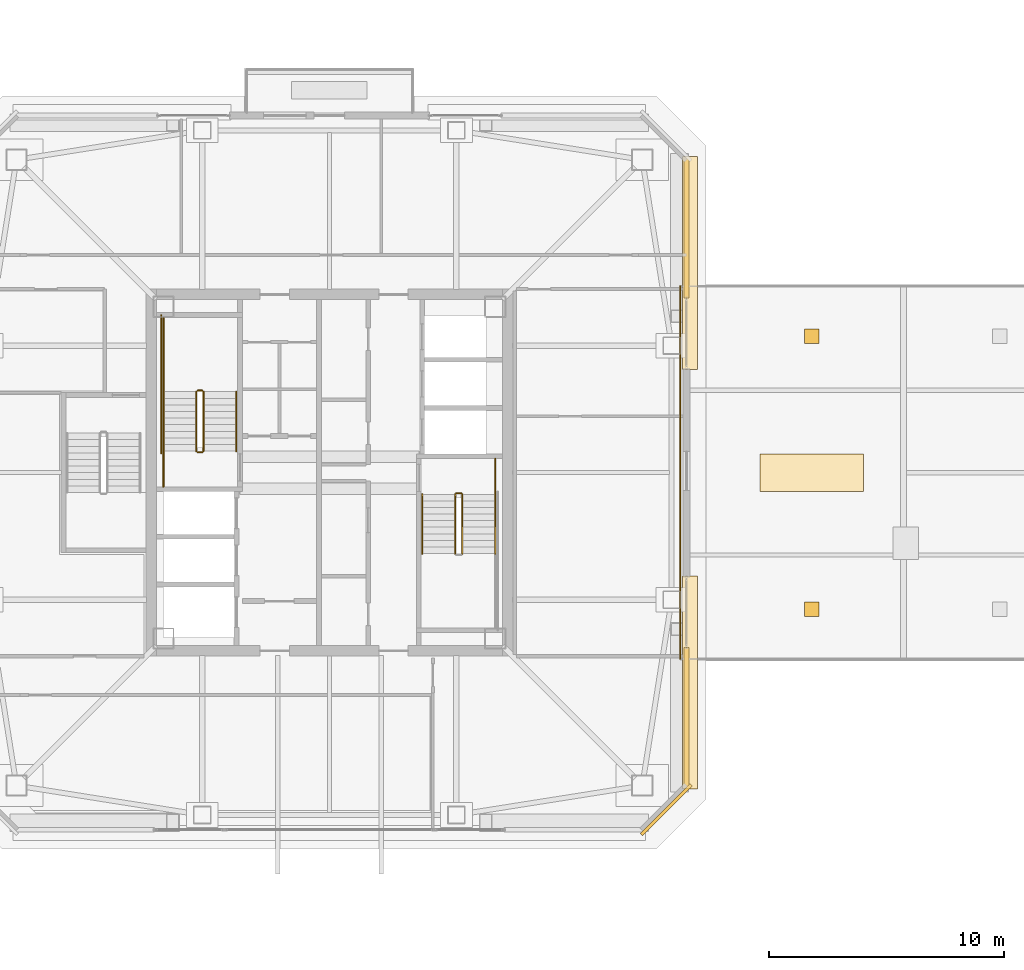
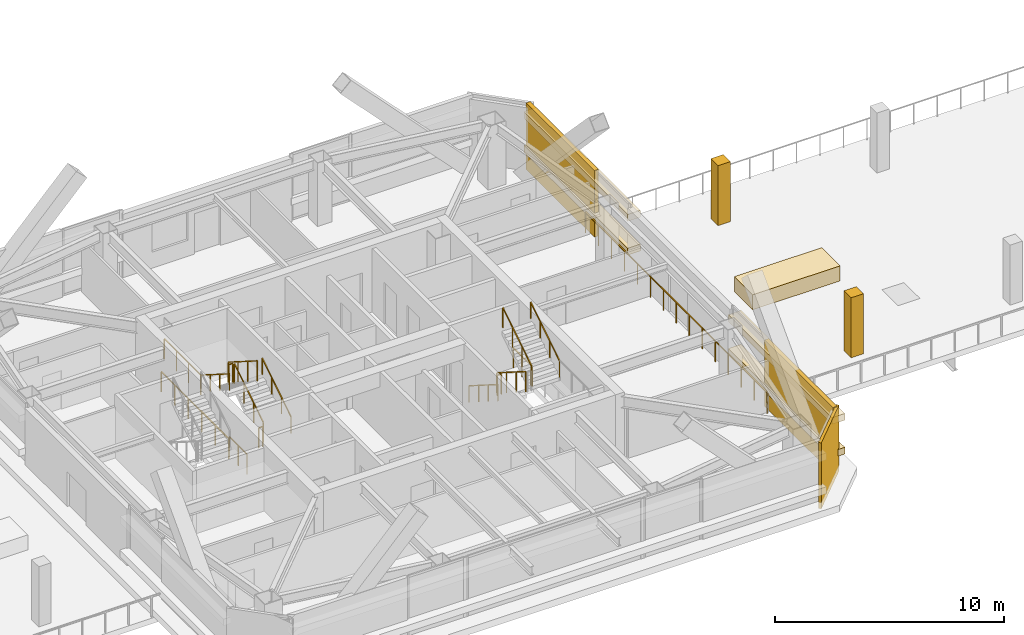
# One storey, part 34 of 37: 16 railings, 10 coverings.
"""IFC4 building model written with IfcOpenShell, lengths in metres."""

import ifcopenshell
import ifcopenshell.guid

model = None  # the IFC model being written
_history = None  # IfcOwnerHistory: only IFC2X3 demands one
_inside = {}  # id of a spatial element -> (the spatial element, [elements in it])
_under = {}  # id of a project, library or spatial element -> (it, [spatial elements below it])
_declared = {}  # id of a project -> (the project, [libraries it declares])
_typed = {}  # id of a type object -> (the type object, [elements of that type])
_made_of = {}  # id of a material, layer set ... -> (it, [elements and type objects made of it])


def new_model(schema):
    """Start an empty IFC model of exactly this schema.

    Asked for "IFC4X3", IfcOpenShell would pick the latest addendum, in which some entities
    have other attributes; the version numbers below select the first issue.
    IFC2X3 requires an IfcOwnerHistory on every rooted entity: one is made here for all.
    """
    global model, _history
    if schema == "IFC4X3":
        model = ifcopenshell.file(schema_version=(4, 3, 0, 0))
    else:
        model = ifcopenshell.file(schema=schema)
    _inside.clear()
    _under.clear()
    _declared.clear()
    _typed.clear()
    _made_of.clear()
    _history = None
    if model.schema == "IFC2X3":
        org = make("IfcOrganization", Name="unknown")
        user = make(
            "IfcPersonAndOrganization",
            ThePerson=make("IfcPerson", FamilyName="unknown"),
            TheOrganization=org,
        )
        app = make(
            "IfcApplication",
            ApplicationDeveloper=org,
            Version="unknown",
            ApplicationFullName="unknown",
            ApplicationIdentifier="unknown",
        )
        _history = make(
            "IfcOwnerHistory",
            OwningUser=user,
            OwningApplication=app,
            ChangeAction="ADDED",
            CreationDate=0,
        )
    return model


def make(cls, **values):
    """One entity of the class cls with the attributes given. An attribute that is None is left unset."""
    return model.create_entity(
        cls, **{name: value for name, value in values.items() if value is not None}
    )


def rooted(cls, **values):
    """An entity with a GlobalId (a new one), such as an element, a storey or a relation."""
    return make(cls, GlobalId=ifcopenshell.guid.new(), OwnerHistory=_history, **values)


def si_unit(unit_type, name, prefix=None):
    """IfcSIUnit, for example si_unit("LENGTHUNIT", "METRE", prefix="MILLI")."""
    return make("IfcSIUnit", UnitType=unit_type, Prefix=prefix, Name=name)


def assignment(units):
    """IfcUnitAssignment: the units of a project."""
    return None if units is None else make("IfcUnitAssignment", Units=units)


def point(xyz):
    """IfcCartesianPoint."""
    return None if xyz is None else make("IfcCartesianPoint", Coordinates=xyz)


def direction(xyz):
    """IfcDirection."""
    return None if xyz is None else make("IfcDirection", DirectionRatios=xyz)


def frame(location, z_axis=None, x_axis=None):
    """IfcAxis2Placement3D, a coordinate frame: its origin and axes. An axis left out is left unset."""
    return make(
        "IfcAxis2Placement3D",
        Location=point(location),
        Axis=direction(z_axis),
        RefDirection=direction(x_axis),
    )


def frame_2d(location, x_axis=None):
    """IfcAxis2Placement2D, a coordinate frame in the plane: its origin and x axis."""
    return make(
        "IfcAxis2Placement2D", Location=point(location), RefDirection=direction(x_axis)
    )


def origin():
    """The frame at (0, 0, 0) with its axes left unset."""
    return frame((0.0, 0.0, 0.0))


def origin_2d():
    """The frame at (0, 0) in the plane with its x axis left unset."""
    return frame_2d((0.0, 0.0))


def place(relative_to, where):
    """IfcLocalPlacement: puts the frame where relative to a parent placement (None: the world)."""
    return make(
        "IfcLocalPlacement", PlacementRelTo=relative_to, RelativePlacement=where
    )


def context(
    kind, dimensions, precision=None, world=None, true_north=None, identifier=None
):
    """IfcGeometricRepresentationContext, for example the 3D "Model" context."""
    return make(
        "IfcGeometricRepresentationContext",
        ContextIdentifier=identifier,
        ContextType=kind,
        CoordinateSpaceDimension=dimensions,
        Precision=precision,
        WorldCoordinateSystem=world,
        TrueNorth=true_north,
    )


def subcontext(parent, identifier, kind, view, scale=None):
    """IfcGeometricRepresentationSubContext, for example "Body" below "Model"."""
    return make(
        "IfcGeometricRepresentationSubContext",
        ContextIdentifier=identifier,
        ContextType=kind,
        ParentContext=parent,
        TargetScale=scale,
        TargetView=view,
    )


def project(units=None, contexts=None):
    """IfcProject with its units and contexts."""
    return rooted(
        "IfcProject",
        Name="project",
        RepresentationContexts=contexts,
        UnitsInContext=assignment(units),
    )


def spatial(cls, under=None, at=None, **own):
    """A site, building, storey or space (cls), placed at a placement, below another one or the project."""
    s = rooted(cls, ObjectPlacement=at, **own)
    if under is not None:
        _under.setdefault(under.id(), (under, []))[1].append(s)
    return s


def profile(cls, at=None, kind="AREA", **sizes):
    """A parametric profile (cls). Its sizes go by their IFC names, for example OverallWidth=200.0."""
    return make(cls, ProfileType=kind, Position=at, **sizes)


def rectangle(**sizes):
    """IfcRectangleProfileDef."""
    return profile("IfcRectangleProfileDef", **sizes)


def extrude(swept, where, along, depth):
    """IfcExtrudedAreaSolid: the profile swept, set in the frame where, extruded along a direction by depth."""
    return make(
        "IfcExtrudedAreaSolid",
        SweptArea=swept,
        Position=where,
        ExtrudedDirection=direction(along),
        Depth=depth,
    )


def shape(context_of_items, identifier, shape_type, items):
    """IfcShapeRepresentation: the items that make up one representation, for example the "Body"."""
    return make(
        "IfcShapeRepresentation",
        ContextOfItems=context_of_items,
        RepresentationIdentifier=identifier,
        RepresentationType=shape_type,
        Items=items,
    )


def material(Name=None, Category=None):
    """IfcMaterial."""
    return make("IfcMaterial", Name=Name, Category=Category)


def layer(
    of_material, thickness, ventilated=None, Name=None, Category=None, Priority=None
):
    """IfcMaterialLayer: one layer of a wall or slab, of a material (None: an air gap)."""
    return make(
        "IfcMaterialLayer",
        Material=of_material,
        LayerThickness=thickness,
        IsVentilated=ventilated,
        Name=Name,
        Category=Category,
        Priority=Priority,
    )


def layer_set(layers, Name=None):
    """IfcMaterialLayerSet."""
    return make("IfcMaterialLayerSet", MaterialLayers=layers, LayerSetName=Name)


def made_of(thing, what):
    """Note that an element or type object is made of a material, layer set ...; save() writes the relation."""
    if what is not None:
        _made_of.setdefault(what.id(), (what, []))[1].append(thing)
    return thing


def type_object(cls, material=None, **own):
    """A type object (cls), such as IfcWallType, which elements share."""
    return made_of(rooted(cls, **own), material)


def element(
    cls,
    number,
    at=None,
    inside=None,
    cuts=None,
    type_object=None,
    material=None,
    context=None,
    identifier="Body",
    shape_type=None,
    held_by="IfcProductDefinitionShape",
    body=None,
    shapes=None,
    **own,
):
    """One element of the class cls, such as IfcWall. Its Tag is "e" and its number.

    at: its placement. inside: the storey or other place that contains it. cuts: it is an
    opening in that element (IfcRelVoidsElement). A single representation is given by context,
    identifier, shape_type and body (its items); several are given by shapes. held_by: the class
    of the entity that holds the representations. save() writes the other relations.
    """
    e = rooted(cls, Tag="e%d" % number, ObjectPlacement=at, **own)
    if body is not None:
        shapes = [shape(context, identifier, shape_type, body)]
    if shapes is not None:
        e.Representation = make(held_by, Representations=shapes)
    if inside is not None:
        _inside.setdefault(inside.id(), (inside, []))[1].append(e)
    if cuts is not None:
        rooted(
            "IfcRelVoidsElement", RelatingBuildingElement=cuts, RelatedOpeningElement=e
        )
    if type_object is not None:
        _typed.setdefault(type_object.id(), (type_object, []))[1].append(e)
    return made_of(e, material)


def aggregate(whole, parts):
    """IfcRelAggregates: a whole, such as a stair, and the parts it consists of."""
    return rooted("IfcRelAggregates", RelatingObject=whole, RelatedObjects=parts)


def save(model, path):
    """Write the relations noted so far, then the file.

    IfcRelAggregates (storeys below a building ...), IfcRelContainedInSpatialStructure (elements
    in a storey), IfcRelDefinesByType, IfcRelAssociatesMaterial and IfcRelDeclares: one each for
    every whole, place, type object, material and project.
    """
    for whole, parts in _under.values():
        aggregate(whole, parts)
    for where, things in _inside.values():
        rooted(
            "IfcRelContainedInSpatialStructure",
            RelatedElements=things,
            RelatingStructure=where,
        )
    for kind, things in _typed.values():
        rooted("IfcRelDefinesByType", RelatedObjects=things, RelatingType=kind)
    for what, things in _made_of.values():
        rooted("IfcRelAssociatesMaterial", RelatedObjects=things, RelatingMaterial=what)
    for by, libraries in _declared.values():
        rooted("IfcRelDeclares", RelatingContext=by, RelatedDefinitions=libraries)
    model.write(path)


model = new_model("IFC4")

# Units and contexts
model_context = context("Model", 3, precision=1e-05, world=origin(), true_north=direction((0.0, 1.0)))
body_context = subcontext(model_context, "Body", "Model", "MODEL_VIEW")
ifc_project = project(units=[si_unit("LENGTHUNIT", "METRE"), si_unit("AREAUNIT", "SQUARE_METRE"), si_unit("VOLUMEUNIT", "CUBIC_METRE"), si_unit("PLANEANGLEUNIT", "RADIAN"), si_unit("MASSUNIT", "GRAM", prefix="KILO")], contexts=[model_context])

# Site, building, storey
site_placement = place(None, origin())
site = spatial("IfcSite", under=ifc_project, at=site_placement, CompositionType="ELEMENT")
building_placement = place(site_placement, origin())
building = spatial("IfcBuilding", under=site, at=building_placement, Name="Tashvorn Skyway Center", CompositionType="ELEMENT")
storey_placement = place(building_placement, frame((0.0, 0.0, 263.39990234375)))
storey = spatial("IfcBuildingStorey", under=building, at=storey_placement, Name="L71", CompositionType="ELEMENT", Elevation=263.39990234375)

# Coverings
ifc_material_1 = material(Name="Precast concrete C40/50", Category="concrete")
ifc_layer_1 = layer(ifc_material_1, 0.199951171875)
ifc_layer_set_1 = layer_set([ifc_layer_1], Name="Precast concrete C40/50")
covering_type_1 = type_object("IfcCoveringType", Name="COV-BRACE-CLAD", PredefinedType="CLADDING", material=ifc_layer_set_1)
for number, where, z_axis, x_axis, name in (
    (1, (57.179931640625, 42.4033203125, 0.0), (0.0, 0.0, 1.0), (0.0, -1.0, 0.0), "Tower 1 L71 East Curtain Wall L Mega-Brace Cladding Band 1"),
    (2, (57.179931640625, 21.5966796875, 0.0), (0.0, 0.0, 1.0), (0.0, -1.0, 0.0), "Tower 1 L71 East Curtain Wall R Mega-Brace Cladding Band 1"),
):
    element("IfcCovering", number, at=place(storey_placement, frame(where, z_axis=z_axis, x_axis=x_axis)), inside=storey, type_object=covering_type_1, Name=name, PredefinedType="CLADDING", context=body_context, shape_type="SweptSolid", body=[
        extrude(rectangle(XDim=5.953369140625, YDim=0.199951171875, at=origin_2d()), origin(), (0.0, 0.0, 1.0), 3.550048828125),
    ])
ifc_material_2 = material(Name="Perforated ceramic-coated bronze aluminium solar screen", Category="aluminium")
ifc_layer_2 = layer(ifc_material_2, 0.85009765625)
ifc_layer_set_2 = layer_set([ifc_layer_2], Name="Perforated ceramic-coated bronze aluminium solar screen")
covering_type_2 = type_object("IfcCoveringType", Name="COV-SOLAR-BAND", PredefinedType="CLADDING", material=ifc_layer_set_2)
for number, where, z_axis, x_axis, name in (
    (3, (57.320068359375, 40.9150390625, 0.919921875), (0.0, 0.0, 1.0), (0.0, -1.0, 0.0), "L71 Perforated Ceramic-Metal Solar Screen Louvre Band East 1"),
    (4, (57.320068359375, 40.9150390625, 2.72021484375), (0.0, 0.0, 1.0), (0.0, -1.0, 0.0), "L71 Perforated Ceramic-Metal Solar Screen Louvre Band East 2"),
    (5, (57.320068359375, 23.0849609375, 0.919921875), (0.0, 0.0, 1.0), (0.0, -1.0, 0.0), "L71 Perforated Ceramic-Metal Solar Screen Louvre Band East 1"),
    (6, (57.320068359375, 23.0849609375, 2.72021484375), (0.0, 0.0, 1.0), (0.0, -1.0, 0.0), "L71 Perforated Ceramic-Metal Solar Screen Louvre Band East 2"),
):
    element("IfcCovering", number, at=place(storey_placement, frame(where, z_axis=z_axis, x_axis=x_axis)), inside=storey, type_object=covering_type_2, Name=name, PredefinedType="CLADDING", context=body_context, shape_type="SweptSolid", body=[
        extrude(rectangle(XDim=9.050048828125, YDim=0.639892578125, at=origin_2d()), origin(), (0.0, 0.0, 1.0), 0.360107421875),
    ])
ifc_layer_3 = layer(ifc_material_1, 0.35009765625)
ifc_layer_set_3 = layer_set([ifc_layer_3], Name="Precast concrete C40/50")
covering_type_3 = type_object("IfcCoveringType", Name="COV-STONE-TRIM", PredefinedType="CLADDING", material=ifc_layer_set_3)
covering_1_placement = place(storey_placement, frame((56.320068359375, 17.679931640625, 0.02001953125), z_axis=(0.0, 0.0, 1.0), x_axis=(0.707106781187, 0.707106781187, 0.0)))
element("IfcCovering", 7, at=covering_1_placement, inside=storey, type_object=covering_type_3, Name="Tower 1 L71 SE Mojave Limestone Corner Quoin", PredefinedType="CLADDING", context=body_context, shape_type="SweptSolid", body=[
    extrude(rectangle(XDim=2.98828125, YDim=0.139892578125, at=origin_2d()), origin(), (0.0, 0.0, 1.0), 3.510009765625),
])
for number, where, z_axis, x_axis, name in (
    (8, (62.5, 26.199951171875, 0.0), (0.0, 0.0, 1.0), (1.0, 0.0, 0.0), "Sky-Park Promenade Pergola Stone Column Cladding 4-1"),
    (9, (62.5, 37.800048828125, 0.0), (0.0, 0.0, 1.0), (1.0, 0.0, 0.0), "Sky-Park Promenade Pergola Stone Column Cladding 4-2"),
):
    element("IfcCovering", number, at=place(storey_placement, frame(where, z_axis=z_axis, x_axis=x_axis)), inside=storey, type_object=covering_type_3, Name=name, PredefinedType="CLADDING", context=body_context, shape_type="SweptSolid", body=[
        extrude(rectangle(XDim=0.6201171875, YDim=0.6201171875, at=origin_2d()), origin(), (0.0, 0.0, 1.0), 3.199951171875),
    ])
covering_2_placement = place(storey_placement, frame((62.5, 32.0, 0.0), z_axis=(0.0, 0.0, 1.0), x_axis=(1.0, 0.0, 0.0)))
element("IfcCovering", 10, at=covering_2_placement, inside=storey, type_object=covering_type_3, Name="Sky-Park Promenade Xeriscape Planter Bed 4", PredefinedType="CLADDING", context=body_context, shape_type="SweptSolid", body=[
    extrude(rectangle(XDim=4.39990234375, YDim=1.60009765625, at=origin_2d()), origin(), (0.0, 0.0, 1.0), 0.800048828125),
])

# Railings
ifc_material_3 = material(Name="Galvanized steel S355", Category="steel")
railing_type_1 = type_object("IfcRailingType", Name="RAIL-GUARD-1120", PredefinedType="GUARDRAIL", material=ifc_material_3)
railing_1_placement = place(storey_placement, frame((56.919921875, 24.080078125, 0.0)))
element("IfcRailing", 11, at=railing_1_placement, inside=storey, type_object=railing_type_1, Name="L71 Sky-Park East Promenade Balustrade 02", PredefinedType="GUARDRAIL", context=body_context, shape_type="SweptSolid", body=[
    extrude(rectangle(XDim=0.048095703125, YDim=0.048095703125, at=origin_2d()), frame((0.0, 0.0, 1.09619140625), z_axis=(0.0, 1.0, 0.0), x_axis=(-1.0, 0.0, 0.0)), (0.0, 0.0, 1.0), 15.83984375),
    extrude(rectangle(XDim=0.0419921875, YDim=0.0419921875, at=origin_2d()), origin(), (0.0, 0.0, 1.0), 1.072021484375),
    extrude(rectangle(XDim=0.0419921875, YDim=0.0419921875, at=origin_2d()), frame((0.0, 1.13134765625, 0.0)), (0.0, 0.0, 1.0), 1.072021484375),
    extrude(rectangle(XDim=0.0419921875, YDim=0.0419921875, at=origin_2d()), frame((0.0, 2.262939453125, 0.0)), (0.0, 0.0, 1.0), 1.072021484375),
    extrude(rectangle(XDim=0.0419921875, YDim=0.0419921875, at=origin_2d()), frame((0.0, 3.394287109375, 0.0)), (0.0, 0.0, 1.0), 1.072021484375),
    extrude(rectangle(XDim=0.0419921875, YDim=0.0419921875, at=origin_2d()), frame((0.0, 4.525634765625, 0.0)), (0.0, 0.0, 1.0), 1.072021484375),
    extrude(rectangle(XDim=0.0419921875, YDim=0.0419921875, at=origin_2d()), frame((0.0, 5.656982421875, 0.0)), (0.0, 0.0, 1.0), 1.072021484375),
    extrude(rectangle(XDim=0.0419921875, YDim=0.0419921875, at=origin_2d()), frame((0.0, 6.78857421875, 0.0)), (0.0, 0.0, 1.0), 1.072021484375),
    extrude(rectangle(XDim=0.0419921875, YDim=0.0419921875, at=origin_2d()), frame((0.0, 7.919921875, 0.0)), (0.0, 0.0, 1.0), 1.072021484375),
    extrude(rectangle(XDim=0.0419921875, YDim=0.0419921875, at=origin_2d()), frame((0.0, 9.05126953125, 0.0)), (0.0, 0.0, 1.0), 1.072021484375),
    extrude(rectangle(XDim=0.0419921875, YDim=0.0419921875, at=origin_2d()), frame((0.0, 10.182861328125, 0.0)), (0.0, 0.0, 1.0), 1.072021484375),
    extrude(rectangle(XDim=0.0419921875, YDim=0.0419921875, at=origin_2d()), frame((0.0, 11.314208984375, 0.0)), (0.0, 0.0, 1.0), 1.072021484375),
    extrude(rectangle(XDim=0.0419921875, YDim=0.0419921875, at=origin_2d()), frame((0.0, 12.445556640625, 0.0)), (0.0, 0.0, 1.0), 1.072021484375),
    extrude(rectangle(XDim=0.0419921875, YDim=0.0419921875, at=origin_2d()), frame((0.0, 13.576904296875, 0.0)), (0.0, 0.0, 1.0), 1.072021484375),
    extrude(rectangle(XDim=0.0419921875, YDim=0.0419921875, at=origin_2d()), frame((0.0, 14.70849609375, 0.0)), (0.0, 0.0, 1.0), 1.072021484375),
    extrude(rectangle(XDim=0.0419921875, YDim=0.0419921875, at=origin_2d()), frame((0.0, 15.83984375, 0.0)), (0.0, 0.0, 1.0), 1.072021484375),
])
ifc_material_4 = material(Name="Brushed stainless steel 316", Category="steel")
railing_type_2 = type_object("IfcRailingType", Name="RAIL-HAND-920", PredefinedType="HANDRAIL", material=ifc_material_4)
railing_2_placement = place(storey_placement, frame((38.050048828125, 32.919921875, 0.177490234375)))
element("IfcRailing", 12, at=railing_2_placement, inside=storey, type_object=railing_type_2, Name="L71 ST-T1-1 stair handrail 1", PredefinedType="HANDRAIL", context=body_context, shape_type="SweptSolid", body=[
    extrude(rectangle(XDim=0.048095703125, YDim=0.048095703125, at=origin_2d()), frame((0.0, 0.0, 0.8759765625), z_axis=(0.0, 0.84456994832, 0.535445237532), x_axis=(-1.0, 0.0, 0.0)), (0.0, 0.0, 1.0), 2.98388671875),
    extrude(rectangle(XDim=0.0419921875, YDim=0.0419921875, at=origin_2d()), origin(), (0.0, 0.0, 1.0), 0.851806640625),
    extrude(rectangle(XDim=0.0419921875, YDim=0.0419921875, at=origin_2d()), frame((0.0, 0.840087890625, 0.532470703125)), (0.0, 0.0, 1.0), 0.851806640625),
    extrude(rectangle(XDim=0.0419921875, YDim=0.0419921875, at=origin_2d()), frame((0.0, 1.679931640625, 1.065185546875)), (0.0, 0.0, 1.0), 0.851806640625),
    extrude(rectangle(XDim=0.0419921875, YDim=0.0419921875, at=origin_2d()), frame((0.0, 2.52001953125, 1.59765625)), (0.0, 0.0, 1.0), 0.851806640625),
])
railing_3_placement = place(storey_placement, frame((34.949951171875, 35.43994140625, 1.95263671875)))
element("IfcRailing", 13, at=railing_3_placement, inside=storey, type_object=railing_type_2, Name="L71 ST-T1-1 stair handrail 2", PredefinedType="HANDRAIL", context=body_context, shape_type="SweptSolid", body=[
    extrude(rectangle(XDim=0.048095703125, YDim=0.048095703125, at=origin_2d()), frame((0.0, 0.0, 0.8759765625), z_axis=(0.0, -0.84460694969, 0.535386869969), x_axis=(1.0, 0.0, 0.0)), (0.0, 0.0, 1.0), 2.983642578125),
    extrude(rectangle(XDim=0.0419921875, YDim=0.0419921875, at=origin_2d()), origin(), (0.0, 0.0, 1.0), 0.851806640625),
    extrude(rectangle(XDim=0.0419921875, YDim=0.0419921875, at=origin_2d()), frame((0.0, -0.840087890625, 0.532470703125)), (0.0, 0.0, 1.0), 0.851806640625),
    extrude(rectangle(XDim=0.0419921875, YDim=0.0419921875, at=origin_2d()), frame((0.0, -1.679931640625, 1.06494140625)), (0.0, 0.0, 1.0), 0.851806640625),
    extrude(rectangle(XDim=0.0419921875, YDim=0.0419921875, at=origin_2d()), frame((0.0, -2.52001953125, 1.597412109375)), (0.0, 0.0, 1.0), 0.851806640625),
])
railing_4_placement = place(storey_placement, frame((45.949951171875, 31.080078125, 0.177490234375)))
element("IfcRailing", 14, at=railing_4_placement, inside=storey, type_object=railing_type_2, Name="L71 ST-T1-2 stair handrail 1", PredefinedType="HANDRAIL", context=body_context, shape_type="SweptSolid", body=[
    extrude(rectangle(XDim=0.048095703125, YDim=0.048095703125, at=origin_2d()), frame((0.0, 0.0, 0.8759765625), z_axis=(0.0, -0.84456994832, 0.535445237532), x_axis=(1.0, 0.0, 0.0)), (0.0, 0.0, 1.0), 2.98388671875),
    extrude(rectangle(XDim=0.0419921875, YDim=0.0419921875, at=origin_2d()), origin(), (0.0, 0.0, 1.0), 0.851806640625),
    extrude(rectangle(XDim=0.0419921875, YDim=0.0419921875, at=origin_2d()), frame((0.0, -0.840087890625, 0.532470703125)), (0.0, 0.0, 1.0), 0.851806640625),
    extrude(rectangle(XDim=0.0419921875, YDim=0.0419921875, at=origin_2d()), frame((0.0, -1.679931640625, 1.065185546875)), (0.0, 0.0, 1.0), 0.851806640625),
    extrude(rectangle(XDim=0.0419921875, YDim=0.0419921875, at=origin_2d()), frame((0.0, -2.52001953125, 1.59765625)), (0.0, 0.0, 1.0), 0.851806640625),
])
railing_5_placement = place(storey_placement, frame((49.050048828125, 28.56005859375, 1.95263671875)))
element("IfcRailing", 15, at=railing_5_placement, inside=storey, type_object=railing_type_2, Name="L71 ST-T1-2 stair handrail 2", PredefinedType="HANDRAIL", context=body_context, shape_type="SweptSolid", body=[
    extrude(rectangle(XDim=0.048095703125, YDim=0.048095703125, at=origin_2d()), frame((0.0, 0.0, 0.8759765625), z_axis=(0.0, 0.84460694969, 0.535386869969), x_axis=(-1.0, 0.0, 0.0)), (0.0, 0.0, 1.0), 2.983642578125),
    extrude(rectangle(XDim=0.0419921875, YDim=0.0419921875, at=origin_2d()), origin(), (0.0, 0.0, 1.0), 0.851806640625),
    extrude(rectangle(XDim=0.0419921875, YDim=0.0419921875, at=origin_2d()), frame((0.0, 0.840087890625, 0.532470703125)), (0.0, 0.0, 1.0), 0.851806640625),
    extrude(rectangle(XDim=0.0419921875, YDim=0.0419921875, at=origin_2d()), frame((0.0, 1.679931640625, 1.06494140625)), (0.0, 0.0, 1.0), 0.851806640625),
    extrude(rectangle(XDim=0.0419921875, YDim=0.0419921875, at=origin_2d()), frame((0.0, 2.52001953125, 1.597412109375)), (0.0, 0.0, 1.0), 0.851806640625),
])
ifc_material_5 = material(Name="Painted galvanized steel S355", Category="steel")
railing_type_3 = type_object("IfcRailingType", Name="RAIL-STGUARD-1100", PredefinedType="GUARDRAIL", material=ifc_material_5)
railing_6_placement = place(storey_placement, frame((36.64990234375, 32.919921875, 0.177490234375)))
element("IfcRailing", 16, at=railing_6_placement, inside=storey, type_object=railing_type_3, Name="L71 ST-T1-1 stair guard 1", PredefinedType="GUARDRAIL", context=body_context, shape_type="SweptSolid", body=[
    extrude(rectangle(XDim=0.048095703125, YDim=0.048095703125, at=origin_2d()), frame((0.0, 0.0, 1.076171875), z_axis=(0.0, 0.84456994832, 0.535445237532), x_axis=(-1.0, 0.0, 0.0)), (0.0, 0.0, 1.0), 2.98388671875),
    extrude(rectangle(XDim=0.0419921875, YDim=0.0419921875, at=origin_2d()), origin(), (0.0, 0.0, 1.0), 1.052001953125),
    extrude(rectangle(XDim=0.0419921875, YDim=0.0419921875, at=origin_2d()), frame((0.0, 0.840087890625, 0.532470703125)), (0.0, 0.0, 1.0), 1.052001953125),
    extrude(rectangle(XDim=0.0419921875, YDim=0.0419921875, at=origin_2d()), frame((0.0, 1.679931640625, 1.065185546875)), (0.0, 0.0, 1.0), 1.052001953125),
    extrude(rectangle(XDim=0.0419921875, YDim=0.0419921875, at=origin_2d()), frame((0.0, 2.52001953125, 1.59765625)), (0.0, 0.0, 1.0), 1.052001953125),
])
railing_7_placement = place(storey_placement, frame((36.60009765625, 35.489990234375, 1.775146484375)))
element("IfcRailing", 17, at=railing_7_placement, inside=storey, type_object=railing_type_3, Name="L71 ST-T1-1 stair guard 2", PredefinedType="GUARDRAIL", context=body_context, shape_type="SweptSolid", body=[
    extrude(rectangle(XDim=0.048095703125, YDim=0.048095703125, at=origin_2d()), frame((0.0, 0.0, 1.076171875), z_axis=(-1.0, 0.0, 0.0), x_axis=(0.0, -1.0, 0.0)), (0.0, 0.0, 1.0), 0.2001953125),
    extrude(rectangle(XDim=0.0419921875, YDim=0.0419921875, at=origin_2d()), origin(), (0.0, 0.0, 1.0), 1.052001953125),
    extrude(rectangle(XDim=0.0419921875, YDim=0.0419921875, at=origin_2d()), frame((-0.2001953125, 0.0, 0.0)), (0.0, 0.0, 1.0), 1.052001953125),
])
railing_8_placement = place(storey_placement, frame((34.949951171875, 35.43994140625, 1.775146484375)))
element("IfcRailing", 18, at=railing_8_placement, inside=storey, type_object=railing_type_3, Name="L71 ST-T1-1 stair guard 3", PredefinedType="GUARDRAIL", context=body_context, shape_type="SweptSolid", body=[
    extrude(rectangle(XDim=0.048095703125, YDim=0.048095703125, at=origin_2d()), frame((0.0, 0.0, 1.076171875), z_axis=(0.0, 1.0, 0.0), x_axis=(-1.0, 0.0, 0.0)), (0.0, 0.0, 1.0), 3.16015625),
    extrude(rectangle(XDim=0.0419921875, YDim=0.0419921875, at=origin_2d()), origin(), (0.0, 0.0, 1.0), 1.052001953125),
    extrude(rectangle(XDim=0.0419921875, YDim=0.0419921875, at=origin_2d()), frame((0.0, 1.053466796875, 0.0)), (0.0, 0.0, 1.0), 1.052001953125),
    extrude(rectangle(XDim=0.0419921875, YDim=0.0419921875, at=origin_2d()), frame((0.0, 2.106689453125, 0.0)), (0.0, 0.0, 1.0), 1.052001953125),
    extrude(rectangle(XDim=0.0419921875, YDim=0.0419921875, at=origin_2d()), frame((0.0, 3.16015625, 0.0)), (0.0, 0.0, 1.0), 1.052001953125),
])
railing_9_placement = place(storey_placement, frame((36.35009765625, 35.43994140625, 1.95263671875)))
element("IfcRailing", 19, at=railing_9_placement, inside=storey, type_object=railing_type_3, Name="L71 ST-T1-1 stair guard 4", PredefinedType="GUARDRAIL", context=body_context, shape_type="SweptSolid", body=[
    extrude(rectangle(XDim=0.048095703125, YDim=0.048095703125, at=origin_2d()), frame((0.0, 0.0, 1.076171875), z_axis=(0.0, -0.84460694969, 0.535386869969), x_axis=(1.0, 0.0, 0.0)), (0.0, 0.0, 1.0), 2.983642578125),
    extrude(rectangle(XDim=0.0419921875, YDim=0.0419921875, at=origin_2d()), origin(), (0.0, 0.0, 1.0), 1.052001953125),
    extrude(rectangle(XDim=0.0419921875, YDim=0.0419921875, at=origin_2d()), frame((0.0, -0.840087890625, 0.532470703125)), (0.0, 0.0, 1.0), 1.052001953125),
    extrude(rectangle(XDim=0.0419921875, YDim=0.0419921875, at=origin_2d()), frame((0.0, -1.679931640625, 1.06494140625)), (0.0, 0.0, 1.0), 1.052001953125),
    extrude(rectangle(XDim=0.0419921875, YDim=0.0419921875, at=origin_2d()), frame((0.0, -2.52001953125, 1.597412109375)), (0.0, 0.0, 1.0), 1.052001953125),
])
railing_10_placement = place(storey_placement, frame((36.60009765625, 32.8701171875, 0.0)))
element("IfcRailing", 20, at=railing_10_placement, inside=storey, type_object=railing_type_3, Name="L71 ST-T1-1 stair guard 5", PredefinedType="GUARDRAIL", context=body_context, shape_type="SweptSolid", body=[
    extrude(rectangle(XDim=0.048095703125, YDim=0.048095703125, at=origin_2d()), frame((0.0, 0.0, 1.076171875), z_axis=(-1.0, 0.0, 0.0), x_axis=(0.0, -1.0, 0.0)), (0.0, 0.0, 1.0), 0.2001953125),
    extrude(rectangle(XDim=0.0419921875, YDim=0.0419921875, at=origin_2d()), origin(), (0.0, 0.0, 1.0), 1.052001953125),
    extrude(rectangle(XDim=0.0419921875, YDim=0.0419921875, at=origin_2d()), frame((-0.2001953125, 0.0, 0.0)), (0.0, 0.0, 1.0), 1.052001953125),
])
railing_11_placement = place(storey_placement, frame((34.949951171875, 31.39990234375, 0.0)))
element("IfcRailing", 21, at=railing_11_placement, inside=storey, type_object=railing_type_3, Name="L71 ST-T1-1 stair guard 6", PredefinedType="GUARDRAIL", context=body_context, shape_type="SweptSolid", body=[
    extrude(rectangle(XDim=0.048095703125, YDim=0.048095703125, at=origin_2d()), frame((0.0, 0.0, 1.076171875), z_axis=(0.0, 1.0, 0.0), x_axis=(-1.0, 0.0, 0.0)), (0.0, 0.0, 1.0), 1.52001953125),
    extrude(rectangle(XDim=0.0419921875, YDim=0.0419921875, at=origin_2d()), origin(), (0.0, 0.0, 1.0), 1.052001953125),
    extrude(rectangle(XDim=0.0419921875, YDim=0.0419921875, at=origin_2d()), frame((0.0, 0.760009765625, 0.0)), (0.0, 0.0, 1.0), 1.052001953125),
    extrude(rectangle(XDim=0.0419921875, YDim=0.0419921875, at=origin_2d()), frame((0.0, 1.52001953125, 0.0)), (0.0, 0.0, 1.0), 1.052001953125),
])
railing_12_placement = place(storey_placement, frame((34.85009765625, 32.820068359375, 0.0)))
element("IfcRailing", 22, at=railing_12_placement, inside=storey, type_object=railing_type_3, Name="L71 ST-T1-1 stair guard 7", PredefinedType="GUARDRAIL", context=body_context, shape_type="SweptSolid", body=[
    extrude(rectangle(XDim=0.048095703125, YDim=0.048095703125, at=origin_2d()), frame((0.0, 0.0, 1.076171875), z_axis=(0.0, 1.0, 0.0), x_axis=(-1.0, 0.0, 0.0)), (0.0, 0.0, 1.0), 5.8798828125),
    extrude(rectangle(XDim=0.0419921875, YDim=0.0419921875, at=origin_2d()), origin(), (0.0, 0.0, 1.0), 1.052001953125),
    extrude(rectangle(XDim=0.0419921875, YDim=0.0419921875, at=origin_2d()), frame((0.0, 1.176025390625, 0.0)), (0.0, 0.0, 1.0), 1.052001953125),
    extrude(rectangle(XDim=0.0419921875, YDim=0.0419921875, at=origin_2d()), frame((0.0, 2.35205078125, 0.0)), (0.0, 0.0, 1.0), 1.052001953125),
    extrude(rectangle(XDim=0.0419921875, YDim=0.0419921875, at=origin_2d()), frame((0.0, 3.52783203125, 0.0)), (0.0, 0.0, 1.0), 1.052001953125),
    extrude(rectangle(XDim=0.0419921875, YDim=0.0419921875, at=origin_2d()), frame((0.0, 4.703857421875, 0.0)), (0.0, 0.0, 1.0), 1.052001953125),
    extrude(rectangle(XDim=0.0419921875, YDim=0.0419921875, at=origin_2d()), frame((0.0, 5.8798828125, 0.0)), (0.0, 0.0, 1.0), 1.052001953125),
])
railing_13_placement = place(storey_placement, frame((47.35009765625, 31.080078125, 0.177490234375)))
element("IfcRailing", 23, at=railing_13_placement, inside=storey, type_object=railing_type_3, Name="L71 ST-T1-2 stair guard 1", PredefinedType="GUARDRAIL", context=body_context, shape_type="SweptSolid", body=[
    extrude(rectangle(XDim=0.048095703125, YDim=0.048095703125, at=origin_2d()), frame((0.0, 0.0, 1.076171875), z_axis=(0.0, -0.84456994832, 0.535445237532), x_axis=(1.0, 0.0, 0.0)), (0.0, 0.0, 1.0), 2.98388671875),
    extrude(rectangle(XDim=0.0419921875, YDim=0.0419921875, at=origin_2d()), origin(), (0.0, 0.0, 1.0), 1.052001953125),
    extrude(rectangle(XDim=0.0419921875, YDim=0.0419921875, at=origin_2d()), frame((0.0, -0.840087890625, 0.532470703125)), (0.0, 0.0, 1.0), 1.052001953125),
    extrude(rectangle(XDim=0.0419921875, YDim=0.0419921875, at=origin_2d()), frame((0.0, -1.679931640625, 1.065185546875)), (0.0, 0.0, 1.0), 1.052001953125),
    extrude(rectangle(XDim=0.0419921875, YDim=0.0419921875, at=origin_2d()), frame((0.0, -2.52001953125, 1.59765625)), (0.0, 0.0, 1.0), 1.052001953125),
])
railing_14_placement = place(storey_placement, frame((47.64990234375, 28.56005859375, 1.95263671875)))
element("IfcRailing", 24, at=railing_14_placement, inside=storey, type_object=railing_type_3, Name="L71 ST-T1-2 stair guard 4", PredefinedType="GUARDRAIL", context=body_context, shape_type="SweptSolid", body=[
    extrude(rectangle(XDim=0.048095703125, YDim=0.048095703125, at=origin_2d()), frame((0.0, 0.0, 1.076171875), z_axis=(0.0, 0.84460694969, 0.535386869969), x_axis=(-1.0, 0.0, 0.0)), (0.0, 0.0, 1.0), 2.983642578125),
    extrude(rectangle(XDim=0.0419921875, YDim=0.0419921875, at=origin_2d()), origin(), (0.0, 0.0, 1.0), 1.052001953125),
    extrude(rectangle(XDim=0.0419921875, YDim=0.0419921875, at=origin_2d()), frame((0.0, 0.840087890625, 0.532470703125)), (0.0, 0.0, 1.0), 1.052001953125),
    extrude(rectangle(XDim=0.0419921875, YDim=0.0419921875, at=origin_2d()), frame((0.0, 1.679931640625, 1.06494140625)), (0.0, 0.0, 1.0), 1.052001953125),
    extrude(rectangle(XDim=0.0419921875, YDim=0.0419921875, at=origin_2d()), frame((0.0, 2.52001953125, 1.597412109375)), (0.0, 0.0, 1.0), 1.052001953125),
])
railing_15_placement = place(storey_placement, frame((47.39990234375, 31.1298828125, 0.0)))
element("IfcRailing", 25, at=railing_15_placement, inside=storey, type_object=railing_type_3, Name="L71 ST-T1-2 stair guard 5", PredefinedType="GUARDRAIL", context=body_context, shape_type="SweptSolid", body=[
    extrude(rectangle(XDim=0.048095703125, YDim=0.048095703125, at=origin_2d()), frame((0.0, 0.0, 1.076171875), z_axis=(1.0, 0.0, 0.0), x_axis=(0.0, 1.0, 0.0)), (0.0, 0.0, 1.0), 0.2001953125),
    extrude(rectangle(XDim=0.0419921875, YDim=0.0419921875, at=origin_2d()), origin(), (0.0, 0.0, 1.0), 1.052001953125),
    extrude(rectangle(XDim=0.0419921875, YDim=0.0419921875, at=origin_2d()), frame((0.2001953125, 0.0, 0.0)), (0.0, 0.0, 1.0), 1.052001953125),
])
railing_16_placement = place(storey_placement, frame((49.050048828125, 32.60009765625, 0.0)))
element("IfcRailing", 26, at=railing_16_placement, inside=storey, type_object=railing_type_3, Name="L71 ST-T1-2 stair guard 6", PredefinedType="GUARDRAIL", context=body_context, shape_type="SweptSolid", body=[
    extrude(rectangle(XDim=0.048095703125, YDim=0.048095703125, at=origin_2d()), frame((0.0, 0.0, 1.076171875), z_axis=(0.0, -1.0, 0.0), x_axis=(1.0, 0.0, 0.0)), (0.0, 0.0, 1.0), 1.52001953125),
    extrude(rectangle(XDim=0.0419921875, YDim=0.0419921875, at=origin_2d()), origin(), (0.0, 0.0, 1.0), 1.052001953125),
    extrude(rectangle(XDim=0.0419921875, YDim=0.0419921875, at=origin_2d()), frame((0.0, -0.760009765625, 0.0)), (0.0, 0.0, 1.0), 1.052001953125),
    extrude(rectangle(XDim=0.0419921875, YDim=0.0419921875, at=origin_2d()), frame((0.0, -1.52001953125, 0.0)), (0.0, 0.0, 1.0), 1.052001953125),
])

save(model, "model.ifc")
